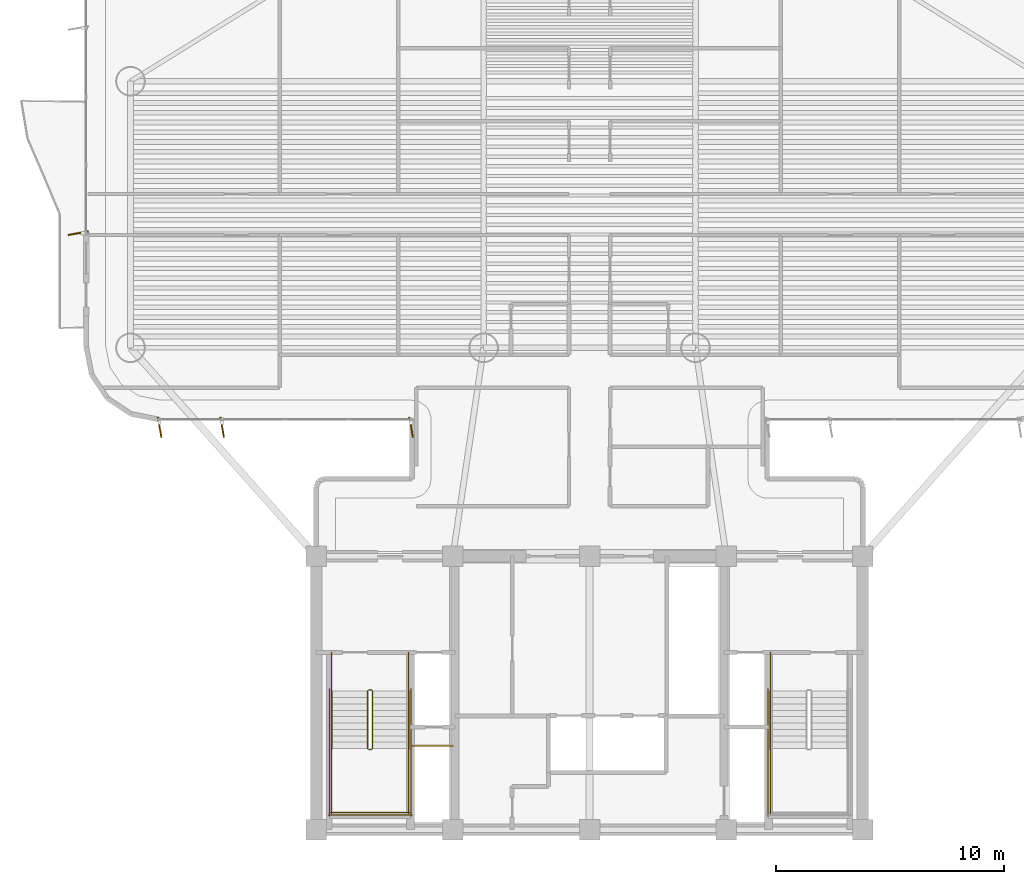
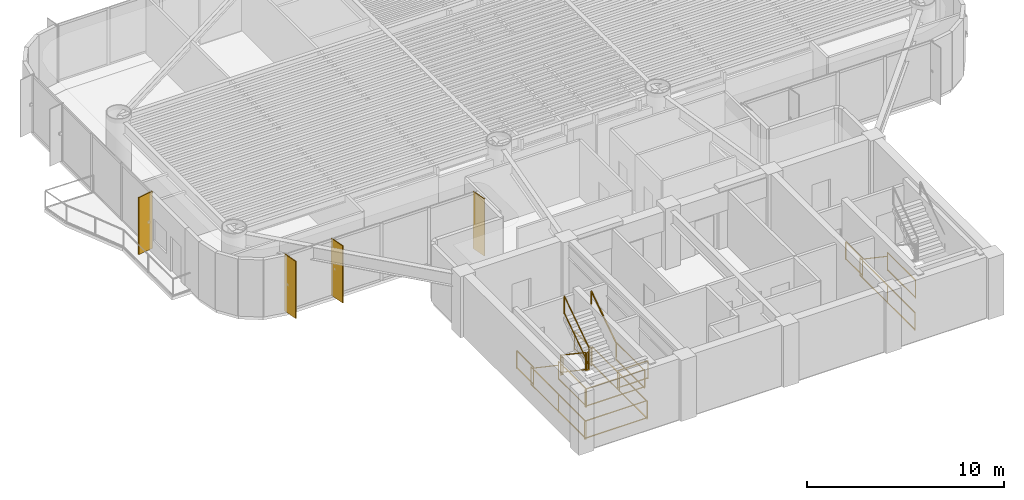
# One storey, part 13 of 16: 19 railings, 4 shading devices.
"""IFC4 building model written with IfcOpenShell, lengths in metres."""

from ifc_helpers import new_model, si_unit, direction, frame, origin, origin_2d, place, context, subcontext, project, spatial, rectangle, extrude, source, transform, mapped, material, layer, layer_set, material_profile, profile_set, type_object, element, save


model = new_model("IFC4")

# Units and contexts
model_context = context("Model", 3, precision=1e-05, world=origin(), true_north=direction((0.0, 1.0)))
body_context = subcontext(model_context, "Body", "Model", "MODEL_VIEW")
ifc_project = project(units=[si_unit("LENGTHUNIT", "METRE"), si_unit("AREAUNIT", "SQUARE_METRE"), si_unit("VOLUMEUNIT", "CUBIC_METRE"), si_unit("PLANEANGLEUNIT", "RADIAN"), si_unit("MASSUNIT", "GRAM", prefix="KILO")], contexts=[model_context])

# Site, building, storey
site_placement = place(None, origin())
site = spatial("IfcSite", under=ifc_project, at=site_placement, CompositionType="ELEMENT")
building_placement = place(site_placement, origin())
building = spatial("IfcBuilding", under=site, at=building_placement, Name="Brelvock Crest Care Tower", CompositionType="ELEMENT")
storey_placement = place(building_placement, frame((0.0, 0.0, 101.159912109375)))
storey = spatial("IfcBuildingStorey", under=building, at=storey_placement, Name="L25", CompositionType="ELEMENT", Elevation=101.159912109375)

# Railings
ifc_material_1 = material(Name="Steel Grade 350", Category="steel")
ifc_layer_1 = layer(ifc_material_1, 0.050048828125, Name="RL-STG1")
ifc_layer_set_1 = layer_set([ifc_layer_1], Name="Steel Grade 350")
railing_type_1 = type_object("IfcRailingType", Name="RL-STG1", PredefinedType="GUARDRAIL", material=ifc_layer_set_1)
railing_1_placement = place(storey_placement, frame((26.260009765625, 12.080078125, 0.189208984375)))
element("IfcRailing", 1, at=railing_1_placement, inside=storey, type_object=railing_type_1, Name="L25 ST-1 stair guard 1", PredefinedType="GUARDRAIL", context=body_context, shape_type="SweptSolid", body=[
    extrude(rectangle(XDim=0.048095703125, YDim=0.048095703125, at=origin_2d()), frame((0.0, -0.001708984375, 1.116943359375), z_axis=(0.0, -0.828861706735, 0.559453546873), x_axis=(1.0, 0.0, 0.0)), (0.0, 0.0, 1.0), 3.036376953125),
    extrude(rectangle(XDim=0.048095703125, YDim=0.048095703125, at=origin_2d()), frame((0.0, -0.001708984375, 0.05615234375), z_axis=(0.0, -0.828861706735, 0.559453546873), x_axis=(1.0, 0.0, 0.0)), (0.0, 0.0, 1.0), 3.036376953125),
    extrude(rectangle(XDim=0.0419921875, YDim=0.0419921875, at=origin_2d()), origin(), (0.0, 0.0, 1.0), 1.08984375),
    extrude(rectangle(XDim=0.0419921875, YDim=0.0419921875, at=origin_2d()), frame((0.0, -2.52001953125, 1.700927734375)), (0.0, 0.0, 1.0), 1.08984375),
])
railing_2_placement = place(storey_placement, frame((26.31005859375, 9.510009765625, 1.89013671875)))
element("IfcRailing", 2, at=railing_2_placement, inside=storey, type_object=railing_type_1, Name="L25 ST-1 stair guard 2", PredefinedType="GUARDRAIL", context=body_context, shape_type="SweptSolid", body=[
    extrude(rectangle(XDim=0.048095703125, YDim=0.048095703125, at=origin_2d()), frame((0.001953125, 0.0, 1.11572265625), z_axis=(1.0, 0.0, 0.0), x_axis=(0.0, 1.0, 0.0)), (0.0, 0.0, 1.0), 0.115966796875),
    extrude(rectangle(XDim=0.048095703125, YDim=0.048095703125, at=origin_2d()), frame((0.001953125, 0.0, 0.054931640625), z_axis=(1.0, 0.0, 0.0), x_axis=(0.0, 1.0, 0.0)), (0.0, 0.0, 1.0), 0.115966796875),
    extrude(rectangle(XDim=0.0419921875, YDim=0.0419921875, at=origin_2d()), origin(), (0.0, 0.0, 1.0), 1.08984375),
    extrude(rectangle(XDim=0.0419921875, YDim=0.0419921875, at=origin_2d()), frame((0.119873046875, 0.0, 0.0)), (0.0, 0.0, 1.0), 1.08984375),
])
for number, where, name in (
    (3, (24.679931640625, 9.56005859375, 1.89013671875), "L25 ST-1 stair guard 3"),
    (4, (28.06005859375, 9.56005859375, 1.89013671875), "L25 ST-1 stair guard 4"),
):
    element("IfcRailing", number, at=place(storey_placement, frame(where)), inside=storey, type_object=railing_type_1, Name=name, PredefinedType="GUARDRAIL", context=body_context, shape_type="SweptSolid", body=[
        extrude(rectangle(XDim=0.048095703125, YDim=0.048095703125, at=origin_2d()), frame((0.0, -0.001953125, 1.11572265625), z_axis=(0.0, -1.0, 0.0), x_axis=(1.0, 0.0, 0.0)), (0.0, 0.0, 1.0), 2.856201171875),
        extrude(rectangle(XDim=0.048095703125, YDim=0.048095703125, at=origin_2d()), frame((0.0, -0.001953125, 0.054931640625), z_axis=(0.0, -1.0, 0.0), x_axis=(1.0, 0.0, 0.0)), (0.0, 0.0, 1.0), 2.856201171875),
        extrude(rectangle(XDim=0.0419921875, YDim=0.0419921875, at=origin_2d()), origin(), (0.0, 0.0, 1.0), 1.08984375),
        extrude(rectangle(XDim=0.0419921875, YDim=0.0419921875, at=origin_2d()), frame((0.0, -2.860107421875, 0.0)), (0.0, 0.0, 1.0), 1.08984375),
    ])
railing_3_placement = place(storey_placement, frame((24.6298828125, 6.75, 1.89013671875)))
element("IfcRailing", 5, at=railing_3_placement, inside=storey, type_object=railing_type_1, Name="L25 ST-1 stair guard 5", PredefinedType="GUARDRAIL", context=body_context, shape_type="SweptSolid", body=[
    extrude(rectangle(XDim=0.048095703125, YDim=0.048095703125, at=origin_2d()), frame((0.001953125, 0.0, 1.11572265625), z_axis=(1.0, 0.0, 0.0), x_axis=(0.0, 1.0, 0.0)), (0.0, 0.0, 1.0), 3.476318359375),
    extrude(rectangle(XDim=0.048095703125, YDim=0.048095703125, at=origin_2d()), frame((0.001953125, 0.0, 0.054931640625), z_axis=(1.0, 0.0, 0.0), x_axis=(0.0, 1.0, 0.0)), (0.0, 0.0, 1.0), 3.476318359375),
    extrude(rectangle(XDim=0.0419921875, YDim=0.0419921875, at=origin_2d()), origin(), (0.0, 0.0, 1.0), 1.08984375),
    extrude(rectangle(XDim=0.0419921875, YDim=0.0419921875, at=origin_2d()), frame((3.480224609375, 0.0, 0.0)), (0.0, 0.0, 1.0), 1.08984375),
])
railing_4_placement = place(storey_placement, frame((26.47998046875, 9.56005859375, 2.0791015625)))
element("IfcRailing", 6, at=railing_4_placement, inside=storey, type_object=railing_type_1, Name="L25 ST-1 stair guard 6", PredefinedType="GUARDRAIL", context=body_context, shape_type="SweptSolid", body=[
    extrude(rectangle(XDim=0.048095703125, YDim=0.048095703125, at=origin_2d()), frame((0.0, 0.001708984375, 1.116943359375), z_axis=(0.0, 0.828861706735, 0.559453546873), x_axis=(-1.0, 0.0, 0.0)), (0.0, 0.0, 1.0), 3.036376953125),
    extrude(rectangle(XDim=0.048095703125, YDim=0.048095703125, at=origin_2d()), frame((0.0, 0.001708984375, 0.05615234375), z_axis=(0.0, 0.828861706735, 0.559453546873), x_axis=(-1.0, 0.0, 0.0)), (0.0, 0.0, 1.0), 3.036376953125),
    extrude(rectangle(XDim=0.0419921875, YDim=0.0419921875, at=origin_2d()), origin(), (0.0, 0.0, 1.0), 1.08984375),
    extrude(rectangle(XDim=0.0419921875, YDim=0.0419921875, at=origin_2d()), frame((0.0, 2.52001953125, 1.700927734375)), (0.0, 0.0, 1.0), 1.08984375),
])
railing_5_placement = place(storey_placement, frame((26.31005859375, 12.1298828125, 0.0)))
element("IfcRailing", 7, at=railing_5_placement, inside=storey, type_object=railing_type_1, Name="L25 ST-1 stair guard 7", PredefinedType="GUARDRAIL", context=body_context, shape_type="SweptSolid", body=[
    extrude(rectangle(XDim=0.048095703125, YDim=0.048095703125, at=origin_2d()), frame((0.001953125, 0.0, 1.11572265625), z_axis=(1.0, 0.0, 0.0), x_axis=(0.0, 1.0, 0.0)), (0.0, 0.0, 1.0), 0.115966796875),
    extrude(rectangle(XDim=0.048095703125, YDim=0.048095703125, at=origin_2d()), frame((0.001953125, 0.0, 0.054931640625), z_axis=(1.0, 0.0, 0.0), x_axis=(0.0, 1.0, 0.0)), (0.0, 0.0, 1.0), 0.115966796875),
    extrude(rectangle(XDim=0.0419921875, YDim=0.0419921875, at=origin_2d()), origin(), (0.0, 0.0, 1.0), 1.08984375),
    extrude(rectangle(XDim=0.0419921875, YDim=0.0419921875, at=origin_2d()), frame((0.119873046875, 0.0, 0.0)), (0.0, 0.0, 1.0), 1.08984375),
])
for number, where, name in (
    (8, (24.679931640625, 13.780029296875, 0.0), "L25 ST-1 stair guard 8"),
    (9, (28.06005859375, 13.780029296875, 0.0), "L25 ST-1 stair guard 9"),
):
    element("IfcRailing", number, at=place(storey_placement, frame(where)), inside=storey, type_object=railing_type_1, Name=name, PredefinedType="GUARDRAIL", context=body_context, shape_type="SweptSolid", body=[
        extrude(rectangle(XDim=0.048095703125, YDim=0.048095703125, at=origin_2d()), frame((0.0, -0.001953125, 1.11572265625), z_axis=(0.0, -1.0, 0.0), x_axis=(1.0, 0.0, 0.0)), (0.0, 0.0, 1.0), 1.696044921875),
        extrude(rectangle(XDim=0.048095703125, YDim=0.048095703125, at=origin_2d()), frame((0.0, -0.001953125, 0.054931640625), z_axis=(0.0, -1.0, 0.0), x_axis=(1.0, 0.0, 0.0)), (0.0, 0.0, 1.0), 1.696044921875),
        extrude(rectangle(XDim=0.0419921875, YDim=0.0419921875, at=origin_2d()), origin(), (0.0, 0.0, 1.0), 1.08984375),
        extrude(rectangle(XDim=0.0419921875, YDim=0.0419921875, at=origin_2d()), frame((0.0, -1.699951171875, 0.0)), (0.0, 0.0, 1.0), 1.08984375),
    ])
for number, where, name in (
    (10, (24.580078125, 12.179931640625, 0.0), "L25 ST-1 stair guard 10"),
    (11, (28.159912109375, 12.179931640625, 0.0), "L25 ST-1 stair guard 11"),
):
    element("IfcRailing", number, at=place(storey_placement, frame(where)), inside=storey, type_object=railing_type_1, Name=name, PredefinedType="GUARDRAIL", context=body_context, shape_type="SweptSolid", body=[
        extrude(rectangle(XDim=0.048095703125, YDim=0.048095703125, at=origin_2d()), frame((0.0, -0.001953125, 1.11572265625), z_axis=(0.0, -1.0, 0.0), x_axis=(1.0, 0.0, 0.0)), (0.0, 0.0, 1.0), 5.575927734375),
        extrude(rectangle(XDim=0.048095703125, YDim=0.048095703125, at=origin_2d()), frame((0.0, -0.001953125, 0.054931640625), z_axis=(0.0, -1.0, 0.0), x_axis=(1.0, 0.0, 0.0)), (0.0, 0.0, 1.0), 5.575927734375),
        extrude(rectangle(XDim=0.0419921875, YDim=0.0419921875, at=origin_2d()), origin(), (0.0, 0.0, 1.0), 1.08984375),
        extrude(rectangle(XDim=0.0419921875, YDim=0.0419921875, at=origin_2d()), frame((0.0, -2.7900390625, 0.0)), (0.0, 0.0, 1.0), 1.08984375),
        extrude(rectangle(XDim=0.0419921875, YDim=0.0419921875, at=origin_2d()), frame((0.0, -5.579833984375, 0.0)), (0.0, 0.0, 1.0), 1.08984375),
    ])
railing_6_placement = place(storey_placement, frame((24.530029296875, 6.64990234375, 0.0)))
element("IfcRailing", 12, at=railing_6_placement, inside=storey, type_object=railing_type_1, Name="L25 ST-1 stair guard 12", PredefinedType="GUARDRAIL", context=body_context, shape_type="SweptSolid", body=[
    extrude(rectangle(XDim=0.048095703125, YDim=0.048095703125, at=origin_2d()), frame((0.001953125, 0.0, 1.11572265625), z_axis=(1.0, 0.0, 0.0), x_axis=(0.0, 1.0, 0.0)), (0.0, 0.0, 1.0), 3.676025390625),
    extrude(rectangle(XDim=0.048095703125, YDim=0.048095703125, at=origin_2d()), frame((0.001953125, 0.0, 0.054931640625), z_axis=(1.0, 0.0, 0.0), x_axis=(0.0, 1.0, 0.0)), (0.0, 0.0, 1.0), 3.676025390625),
    extrude(rectangle(XDim=0.0419921875, YDim=0.0419921875, at=origin_2d()), origin(), (0.0, 0.0, 1.0), 1.08984375),
    extrude(rectangle(XDim=0.0419921875, YDim=0.0419921875, at=origin_2d()), frame((3.679931640625, 0.0, 0.0)), (0.0, 0.0, 1.0), 1.08984375),
])
railing_7_placement = place(storey_placement, frame((43.93994140625, 9.56005859375, 1.89013671875)))
element("IfcRailing", 13, at=railing_7_placement, inside=storey, type_object=railing_type_1, Name="L25 ST-2 stair guard 3", PredefinedType="GUARDRAIL", context=body_context, shape_type="SweptSolid", body=[
    extrude(rectangle(XDim=0.048095703125, YDim=0.048095703125, at=origin_2d()), frame((0.0, -0.001953125, 1.11572265625), z_axis=(0.0, -1.0, 0.0), x_axis=(1.0, 0.0, 0.0)), (0.0, 0.0, 1.0), 2.856201171875),
    extrude(rectangle(XDim=0.048095703125, YDim=0.048095703125, at=origin_2d()), frame((0.0, -0.001953125, 0.054931640625), z_axis=(0.0, -1.0, 0.0), x_axis=(1.0, 0.0, 0.0)), (0.0, 0.0, 1.0), 2.856201171875),
    extrude(rectangle(XDim=0.0419921875, YDim=0.0419921875, at=origin_2d()), origin(), (0.0, 0.0, 1.0), 1.08984375),
    extrude(rectangle(XDim=0.0419921875, YDim=0.0419921875, at=origin_2d()), frame((0.0, -2.860107421875, 0.0)), (0.0, 0.0, 1.0), 1.08984375),
])
railing_8_placement = place(storey_placement, frame((43.93994140625, 13.780029296875, 0.0)))
element("IfcRailing", 14, at=railing_8_placement, inside=storey, type_object=railing_type_1, Name="L25 ST-2 stair guard 8", PredefinedType="GUARDRAIL", context=body_context, shape_type="SweptSolid", body=[
    extrude(rectangle(XDim=0.048095703125, YDim=0.048095703125, at=origin_2d()), frame((0.0, -0.001953125, 1.11572265625), z_axis=(0.0, -1.0, 0.0), x_axis=(1.0, 0.0, 0.0)), (0.0, 0.0, 1.0), 1.696044921875),
    extrude(rectangle(XDim=0.048095703125, YDim=0.048095703125, at=origin_2d()), frame((0.0, -0.001953125, 0.054931640625), z_axis=(0.0, -1.0, 0.0), x_axis=(1.0, 0.0, 0.0)), (0.0, 0.0, 1.0), 1.696044921875),
    extrude(rectangle(XDim=0.0419921875, YDim=0.0419921875, at=origin_2d()), origin(), (0.0, 0.0, 1.0), 1.08984375),
    extrude(rectangle(XDim=0.0419921875, YDim=0.0419921875, at=origin_2d()), frame((0.0, -1.699951171875, 0.0)), (0.0, 0.0, 1.0), 1.08984375),
])
railing_9_placement = place(storey_placement, frame((43.840087890625, 12.179931640625, 0.0)))
element("IfcRailing", 15, at=railing_9_placement, inside=storey, type_object=railing_type_1, Name="L25 ST-2 stair guard 10", PredefinedType="GUARDRAIL", context=body_context, shape_type="SweptSolid", body=[
    extrude(rectangle(XDim=0.048095703125, YDim=0.048095703125, at=origin_2d()), frame((0.0, -0.001953125, 1.11572265625), z_axis=(0.0, -1.0, 0.0), x_axis=(1.0, 0.0, 0.0)), (0.0, 0.0, 1.0), 5.575927734375),
    extrude(rectangle(XDim=0.048095703125, YDim=0.048095703125, at=origin_2d()), frame((0.0, -0.001953125, 0.054931640625), z_axis=(0.0, -1.0, 0.0), x_axis=(1.0, 0.0, 0.0)), (0.0, 0.0, 1.0), 5.575927734375),
    extrude(rectangle(XDim=0.0419921875, YDim=0.0419921875, at=origin_2d()), origin(), (0.0, 0.0, 1.0), 1.08984375),
    extrude(rectangle(XDim=0.0419921875, YDim=0.0419921875, at=origin_2d()), frame((0.0, -2.7900390625, 0.0)), (0.0, 0.0, 1.0), 1.08984375),
    extrude(rectangle(XDim=0.0419921875, YDim=0.0419921875, at=origin_2d()), frame((0.0, -5.579833984375, 0.0)), (0.0, 0.0, 1.0), 1.08984375),
])
railing_10_placement = place(storey_placement, frame((28.219970703125, 9.679931640625, 0.0)))
element("IfcRailing", 16, at=railing_10_placement, inside=storey, type_object=railing_type_1, Name="L25 Fire Riser Threshold Guard", PredefinedType="GUARDRAIL", context=body_context, shape_type="SweptSolid", body=[
    extrude(rectangle(XDim=0.048095703125, YDim=0.048095703125, at=origin_2d()), frame((0.001953125, 0.0, 1.11572265625), z_axis=(1.0, 0.0, 0.0), x_axis=(0.0, 1.0, 0.0)), (0.0, 0.0, 1.0), 1.776123046875),
    extrude(rectangle(XDim=0.048095703125, YDim=0.048095703125, at=origin_2d()), frame((0.001953125, 0.0, 0.054931640625), z_axis=(1.0, 0.0, 0.0), x_axis=(0.0, 1.0, 0.0)), (0.0, 0.0, 1.0), 1.776123046875),
    extrude(rectangle(XDim=0.0419921875, YDim=0.0419921875, at=origin_2d()), origin(), (0.0, 0.0, 1.0), 1.08984375),
    extrude(rectangle(XDim=0.0419921875, YDim=0.0419921875, at=origin_2d()), frame((1.780029296875, 0.0, 0.0)), (0.0, 0.0, 1.0), 1.08984375),
])
ifc_layer_2 = layer(ifc_material_1, 0.048095703125, Name="RL-STH1")
ifc_layer_set_2 = layer_set([ifc_layer_2], Name="Steel Grade 350")
railing_type_2 = type_object("IfcRailingType", Name="RL-STH1", PredefinedType="HANDRAIL", material=ifc_layer_set_2)
railing_11_placement = place(storey_placement, frame((24.679931640625, 12.080078125, 0.189208984375)))
element("IfcRailing", 17, at=railing_11_placement, inside=storey, type_object=railing_type_2, Name="L25 ST-1 stair handrail 1", PredefinedType="HANDRAIL", context=body_context, shape_type="SweptSolid", body=[
    extrude(rectangle(XDim=0.048095703125, YDim=0.048095703125, at=origin_2d()), frame((0.0, -0.001708984375, 0.876953125), z_axis=(0.0, -0.828861706735, 0.559453546873), x_axis=(1.0, 0.0, 0.0)), (0.0, 0.0, 1.0), 3.036376953125),
    extrude(rectangle(XDim=0.0419921875, YDim=0.0419921875, at=origin_2d()), origin(), (0.0, 0.0, 1.0), 0.849853515625),
    extrude(rectangle(XDim=0.0419921875, YDim=0.0419921875, at=origin_2d()), frame((0.0, -2.52001953125, 1.700927734375)), (0.0, 0.0, 1.0), 0.849853515625),
])
railing_12_placement = place(storey_placement, frame((28.06005859375, 9.56005859375, 2.0791015625)))
element("IfcRailing", 18, at=railing_12_placement, inside=storey, type_object=railing_type_2, Name="L25 ST-1 stair handrail 2", PredefinedType="HANDRAIL", context=body_context, shape_type="SweptSolid", body=[
    extrude(rectangle(XDim=0.048095703125, YDim=0.048095703125, at=origin_2d()), frame((0.0, 0.001708984375, 0.876953125), z_axis=(0.0, 0.828861706735, 0.559453546873), x_axis=(-1.0, 0.0, 0.0)), (0.0, 0.0, 1.0), 3.036376953125),
    extrude(rectangle(XDim=0.0419921875, YDim=0.0419921875, at=origin_2d()), origin(), (0.0, 0.0, 1.0), 0.849853515625),
    extrude(rectangle(XDim=0.0419921875, YDim=0.0419921875, at=origin_2d()), frame((0.0, 2.52001953125, 1.700927734375)), (0.0, 0.0, 1.0), 0.849853515625),
])
railing_13_placement = place(storey_placement, frame((43.93994140625, 12.080078125, 0.189208984375)))
element("IfcRailing", 19, at=railing_13_placement, inside=storey, type_object=railing_type_2, Name="L25 ST-2 stair handrail 1", PredefinedType="HANDRAIL", context=body_context, shape_type="SweptSolid", body=[
    extrude(rectangle(XDim=0.048095703125, YDim=0.048095703125, at=origin_2d()), frame((0.0, -0.001708984375, 0.876953125), z_axis=(0.0, -0.828861706735, 0.559453546873), x_axis=(1.0, 0.0, 0.0)), (0.0, 0.0, 1.0), 3.036376953125),
    extrude(rectangle(XDim=0.0419921875, YDim=0.0419921875, at=origin_2d()), origin(), (0.0, 0.0, 1.0), 0.849853515625),
    extrude(rectangle(XDim=0.0419921875, YDim=0.0419921875, at=origin_2d()), frame((0.0, -2.52001953125, 1.700927734375)), (0.0, 0.0, 1.0), 0.849853515625),
])

# Shading devices
ifc_material_2 = material(Name="Aluminium 6063-T6", Category="aluminium")
ifc_material_profile = material_profile(ifc_material_2, rectangle(XDim=0.054931640625, YDim=0.89990234375, at=origin_2d()), Name="FIN55x900")
ifc_profile_set = profile_set([ifc_material_profile], Name="Aluminium 6063-T6")
shading_device_type = type_object("IfcShadingDeviceType", Name="SHD-FIN1", PredefinedType="USERDEFINED", material=ifc_profile_set)
shared_shape = source(origin(), body_context, "Body", "SweptSolid", [
    extrude(rectangle(XDim=0.054931640625, YDim=0.89990234375, at=origin_2d()), origin(), (0.0, 0.0, 1.0), 3.530029296875),
])
for number, where, z_axis, x_axis, name in (
    (20, (28.169921875, 23.659912109375, 0.0), (0.0, 0.0, 1.0), (-0.984807753012, -0.173648177667, 0.0), "L25 Vertical Sunshade Fin E12-01"),
    (21, (19.875, 23.659912109375, 0.0), (0.0, 0.0, 1.0), (-0.984807753012, -0.173648177667, 0.0), "L25 Vertical Sunshade Fin E12-04"),
    (22, (17.1298828125, 23.659912109375, 0.0), (0.0, 0.0, 1.0), (-0.984807753012, -0.173648177667, 0.0), "L25 Vertical Sunshade Fin E12-05"),
    (23, (13.56005859375, 32.179931640625, 0.0), (0.0, 0.0, 1.0), (-0.173648177667, 0.984807753012, 0.0), "L25 Vertical Sunshade Fin E17B-01"),
):
    element("IfcShadingDevice", number, at=place(storey_placement, frame(where, z_axis=z_axis, x_axis=x_axis)), inside=storey, type_object=shading_device_type, Name=name, ObjectType="FIN", PredefinedType="USERDEFINED", context=body_context, shape_type="MappedRepresentation", body=[
        mapped(shared_shape, transform((0.0, 0.0, 0.0), x_axis=(1.0, 0.0, 0.0), y_axis=(0.0, 1.0, 0.0), z_axis=(0.0, 0.0, 1.0), scale=1.0)),
    ])

save(model, "model.ifc")
